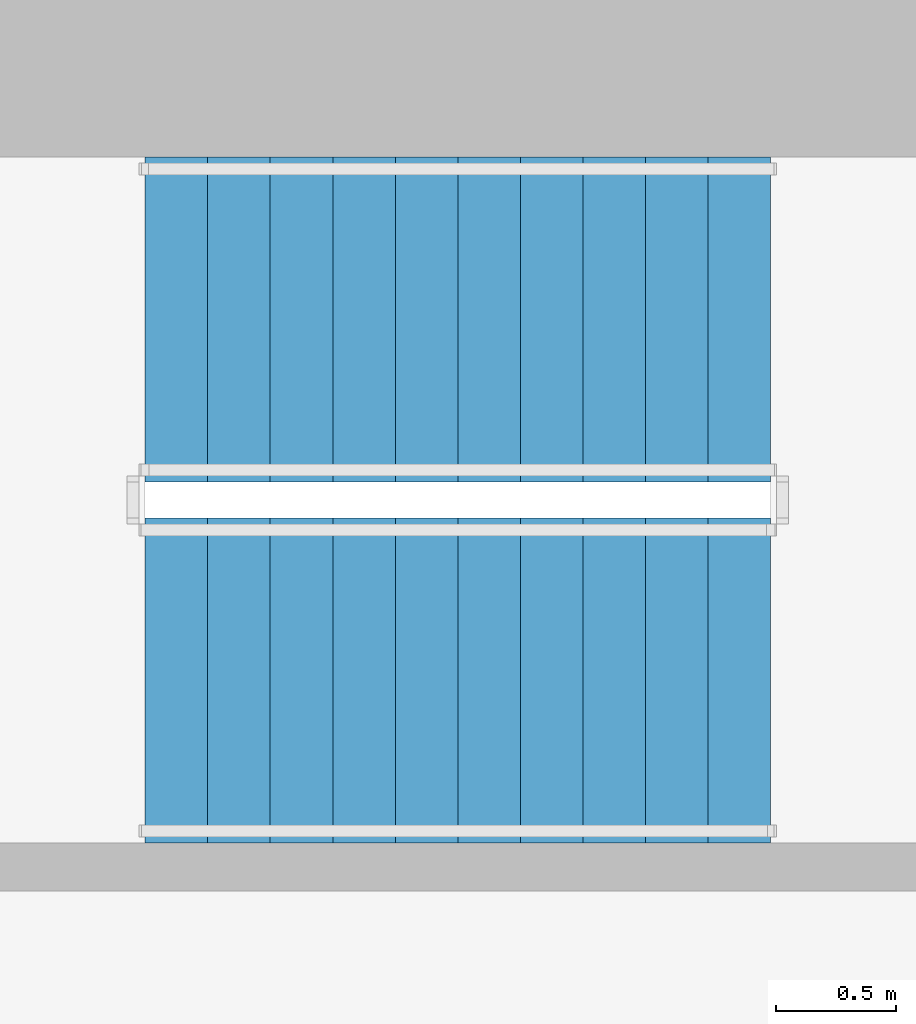
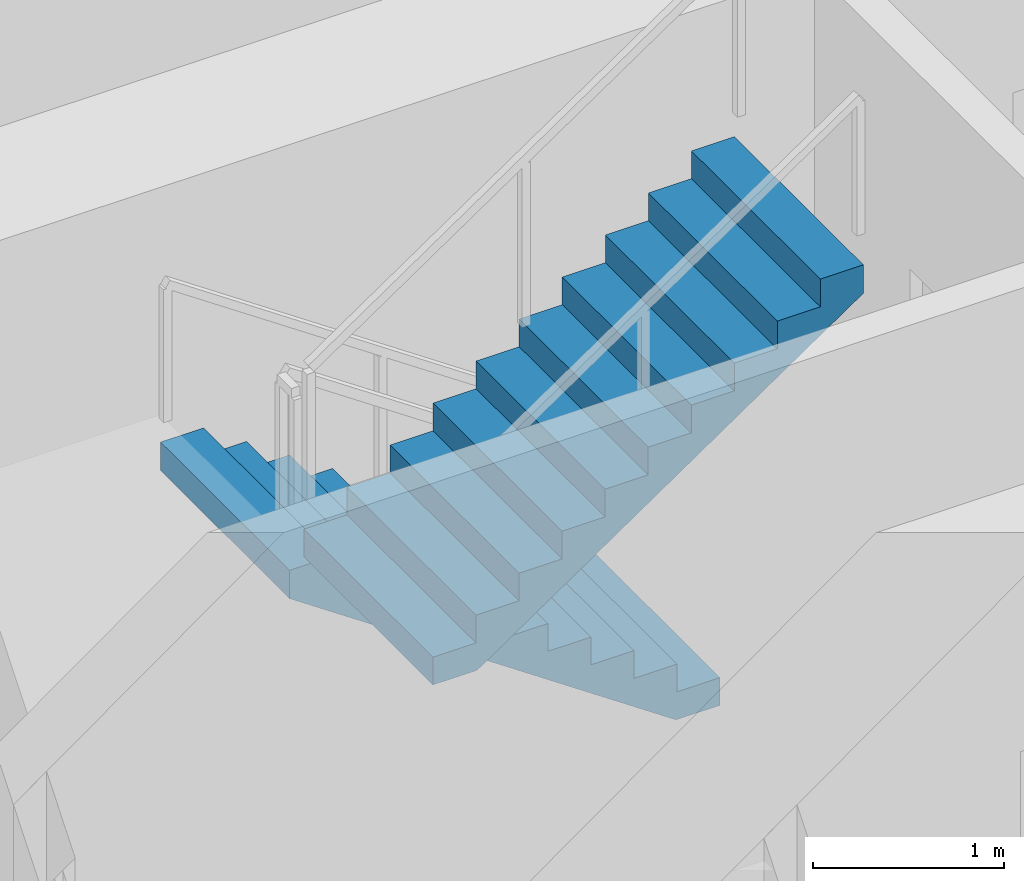
# One storey, part 10 of 16: 2 stair flights, 1 element without a shape of its own.
"""IFC4 building model written with IfcOpenShell, lengths in metres."""

from ifc_helpers import new_model, si_unit, direction, frame, origin, place, context, subcontext, project, spatial, polyline, outline, extrude, material, type_object, element, aggregate, save


model = new_model("IFC4")

# Units and contexts
model_context = context("Model", 3, precision=1e-05, world=origin(), true_north=direction((0.0, 1.0)))
body_context = subcontext(model_context, "Body", "Model", "MODEL_VIEW")
ifc_project = project(units=[si_unit("LENGTHUNIT", "METRE"), si_unit("AREAUNIT", "SQUARE_METRE"), si_unit("VOLUMEUNIT", "CUBIC_METRE"), si_unit("PLANEANGLEUNIT", "RADIAN"), si_unit("MASSUNIT", "GRAM", prefix="KILO")], contexts=[model_context])

# Site, building, storey
site_placement = place(None, origin())
site = spatial("IfcSite", under=ifc_project, at=site_placement, CompositionType="ELEMENT")
building_placement = place(site_placement, origin())
building = spatial("IfcBuilding", under=site, at=building_placement, Name="Khepri Terraces", CompositionType="ELEMENT")
storey_placement = place(building_placement, frame((0.0, 0.0, 176.699951171875)))
storey = spatial("IfcBuildingStorey", under=building, at=storey_placement, Name="L42", CompositionType="ELEMENT", Elevation=176.699951171875)

# Stair, stair flights
ifc_material = material(Name="Concrete C40/50", Category="concrete")
stair_type = type_object("IfcStairType", Name="STAIR-RC-22R", PredefinedType="HALF_TURN_STAIR", material=ifc_material)
stair_placement = place(storey_placement, origin())
stair = element("IfcStair", 1, at=stair_placement, inside=storey, type_object=stair_type, Name="L42 Exit Stair ST-3", PredefinedType="HALF_TURN_STAIR")
stair_flight_type = type_object("IfcStairFlightType", Name="SFL-RC-177.3", PredefinedType="STRAIGHT", material=ifc_material)
stair_flight_1_placement = place(storey_placement, frame((-0.25, 9.425048828125, 0.0), z_axis=(0.0, 0.0, 1.0), x_axis=(-1.0, 0.0, 0.0)))
stair_flight_1 = element("IfcStairFlight", 2, at=stair_flight_1_placement, type_object=stair_flight_type, Name="ST-3 flight 1", NumberOfRisers=11, NumberOfTreads=10, PredefinedType="STRAIGHT", RiserHeight=0.177272727, TreadLength=0.26, context=body_context, shape_type="SweptSolid", body=[
    extrude(outline(polyline([(0.0, 0.0), (0.0, 0.17724609375), (0.260009765625, 0.17724609375), (0.260009765625, 0.3544921875), (0.52001953125, 0.3544921875), (0.52001953125, 0.53173828125), (0.780029296875, 0.53173828125), (0.780029296875, 0.708984375), (1.0400390625, 0.708984375), (1.0400390625, 0.886474609375), (1.300048828125, 0.886474609375), (1.300048828125, 1.063720703125), (1.56005859375, 1.063720703125), (1.56005859375, 1.240966796875), (1.820068359375, 1.240966796875), (1.820068359375, 1.418212890625), (2.080078125, 1.418212890625), (2.080078125, 1.595458984375), (2.340087890625, 1.595458984375), (2.340087890625, 1.772705078125), (2.60009765625, 1.772705078125), (2.60009765625, 1.949951171875), (2.60009765625, 1.59130859375), (0.26611328125, 0.0), (0.0, 0.0)])), frame((0.0, 0.675048828125, 0.0), z_axis=(0.0, -1.0, 0.0), x_axis=(1.0, 0.0, 0.0)), (0.0, 0.0, 1.0), 1.35009765625),
])
stair_flight_2_placement = place(storey_placement, frame((-2.85009765625, 7.925048828125, 1.949951171875), z_axis=(0.0, 0.0, 1.0), x_axis=(1.0, 0.0, 0.0)))
stair_flight_2 = element("IfcStairFlight", 3, at=stair_flight_2_placement, type_object=stair_flight_type, Name="ST-3 flight 2", NumberOfRisers=11, NumberOfTreads=10, PredefinedType="STRAIGHT", RiserHeight=0.177272727, TreadLength=0.26, context=body_context, shape_type="SweptSolid", body=[
    extrude(outline(polyline([(0.0, 0.0), (0.0, 0.17724609375), (0.260009765625, 0.17724609375), (0.260009765625, 0.3544921875), (0.52001953125, 0.3544921875), (0.52001953125, 0.53173828125), (0.780029296875, 0.53173828125), (0.780029296875, 0.708984375), (1.0400390625, 0.708984375), (1.0400390625, 0.886474609375), (1.300048828125, 0.886474609375), (1.300048828125, 1.063720703125), (1.56005859375, 1.063720703125), (1.56005859375, 1.240966796875), (1.820068359375, 1.240966796875), (1.820068359375, 1.418212890625), (2.080078125, 1.418212890625), (2.080078125, 1.595458984375), (2.340087890625, 1.595458984375), (2.340087890625, 1.772705078125), (2.60009765625, 1.772705078125), (2.60009765625, 1.949951171875), (2.60009765625, 1.59130859375), (0.26611328125, 0.0), (0.0, 0.0)])), frame((0.0, 0.675048828125, 0.0), z_axis=(0.0, -1.0, 0.0), x_axis=(1.0, 0.0, 0.0)), (0.0, 0.0, 1.0), 1.35009765625),
])
aggregate(stair, [stair_flight_1, stair_flight_2])

save(model, "model.ifc")
